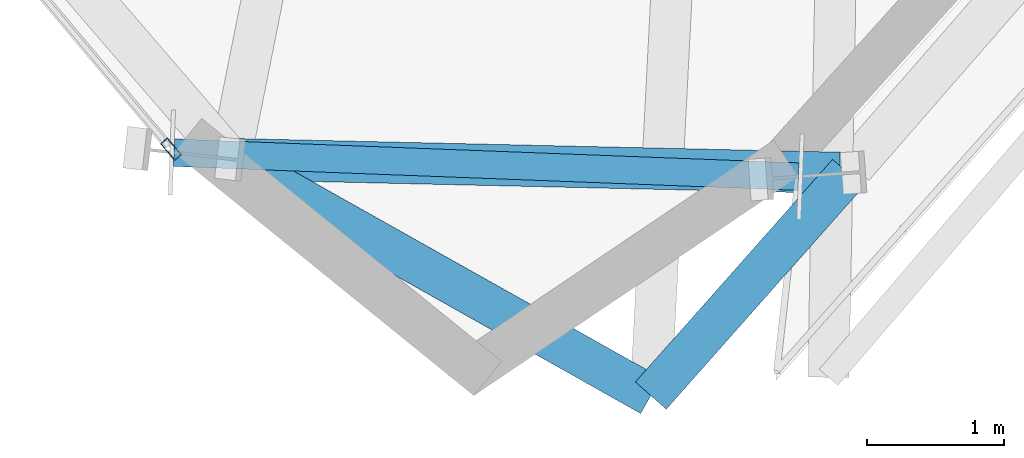
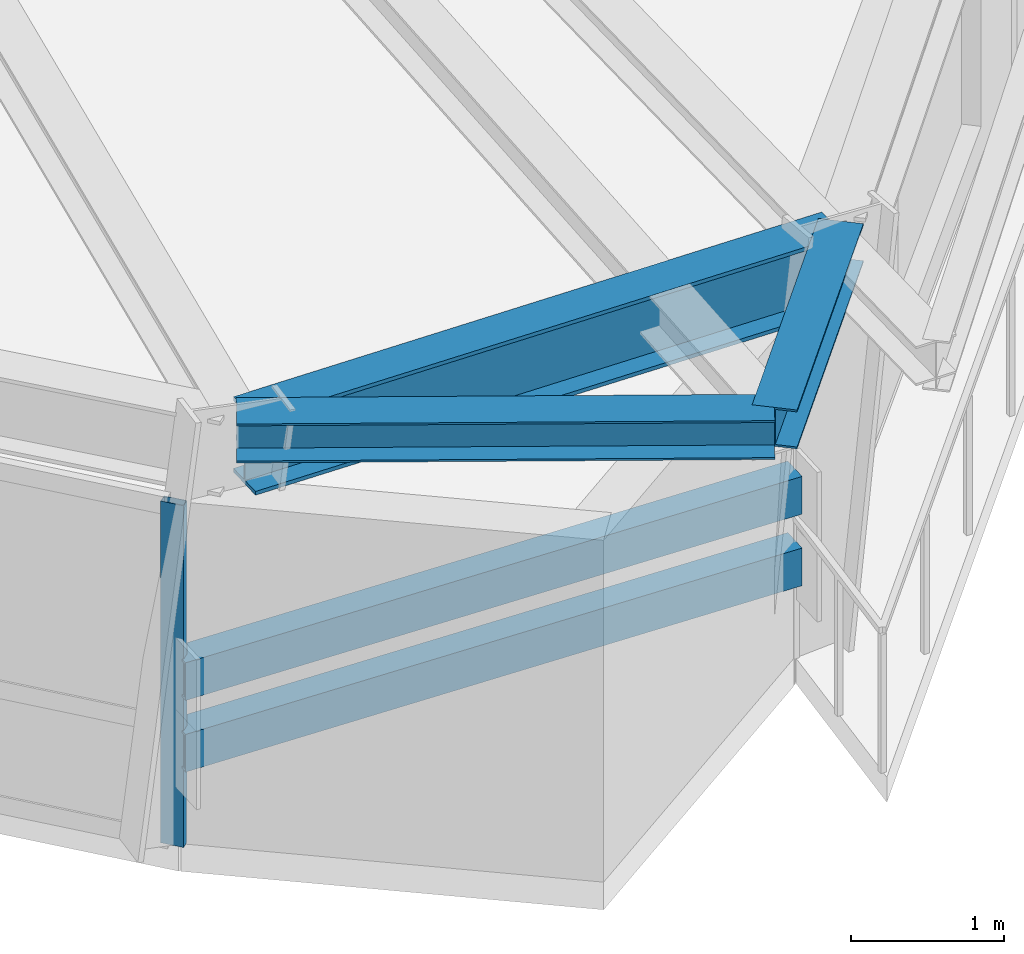
# One storey, part 4 of 15: 3 beams, 3 members, 1 element without a shape of its own.
"""IFC4 building model written with IfcOpenShell, lengths in metres."""

from ifc_helpers import new_model, si_unit, direction, frame, origin, origin_2d, place, context, subcontext, project, spatial, hollow_rectangle, i_section, extrude, source, transform, mapped, material, material_profile, profile_set, type_object, element, aggregate, save


model = new_model("IFC4")

# Units and contexts
model_context = context("Model", 3, precision=1e-05, world=origin(), true_north=direction((0.0, 1.0)))
body_context = subcontext(model_context, "Body", "Model", "MODEL_VIEW")
ifc_project = project(units=[si_unit("LENGTHUNIT", "METRE"), si_unit("AREAUNIT", "SQUARE_METRE"), si_unit("VOLUMEUNIT", "CUBIC_METRE"), si_unit("PLANEANGLEUNIT", "RADIAN"), si_unit("MASSUNIT", "GRAM", prefix="KILO")], contexts=[model_context])

# Site, building, storey
site_placement = place(None, origin())
site = spatial("IfcSite", under=ifc_project, at=site_placement, CompositionType="ELEMENT")
building_placement = place(site_placement, origin())
building = spatial("IfcBuilding", under=site, at=building_placement, Name="Olszyna Solenne Hotel", CompositionType="ELEMENT")
storey_placement = place(building_placement, frame((0.0, 0.0, 164.35009765625)))
storey = spatial("IfcBuildingStorey", under=building, at=storey_placement, Name="L43", CompositionType="ELEMENT", Elevation=164.35009765625)

# Beams
ifc_material_1 = material(Name="Steel S355J2", Category="steel")
ifc_material_profile_1 = material_profile(ifc_material_1, i_section(OverallWidth=0.300048828125, OverallDepth=0.60009765625, WebThickness=0.015380859375, FlangeThickness=0.030029296875, at=origin_2d()), Name="HEB 600", Category="load-bearing")
ifc_profile_set_1 = profile_set([ifc_material_profile_1], Name="Steel S355J2")
beam_type_1 = type_object("IfcBeamType", Name="BM-S2", PredefinedType="BEAM", material=ifc_profile_set_1)
shared_shape_1 = source(origin(), body_context, "Body", "SweptSolid", [
    extrude(i_section(OverallWidth=0.300048828125, OverallDepth=0.60009765625, WebThickness=0.015380859375, FlangeThickness=0.030029296875, at=origin_2d()), origin(), (0.0, 0.0, 1.0), 4.375732421875),
])
beam_1_placement = place(storey_placement, frame((33.258056640625, 2.52001953125, 3.02978515625), z_axis=(0.999743388678, -0.022652964382, 0.0), x_axis=(0.022652964382, 0.999743388678, 0.0)))
element("IfcBeam", 1, at=beam_1_placement, inside=storey, type_object=beam_type_1, Name="Perimeter spandrel beam BM-S2 B-L43-1282", PredefinedType="BEAM", context=body_context, shape_type="MappedRepresentation", body=[
    mapped(shared_shape_1, transform((0.0, 0.0, 0.0), x_axis=(1.0, 0.0, 0.0), y_axis=(0.0, 1.0, 0.0), z_axis=(0.0, 0.0, 1.0), scale=1.0)),
])
ifc_material_profile_2 = material_profile(ifc_material_1, i_section(OverallWidth=0.300048828125, OverallDepth=0.31005859375, WebThickness=0.009033203125, FlangeThickness=0.015380859375, at=origin_2d()), Name="HEA 320", Category="load-bearing")
ifc_profile_set_2 = profile_set([ifc_material_profile_2], Name="Steel S355J2")
beam_type_2 = type_object("IfcBeamType", Name="BM-G3", PredefinedType="BEAM", material=ifc_profile_set_2)
shared_shape_2 = source(origin(), body_context, "Body", "SweptSolid", [
    extrude(i_section(OverallWidth=0.300048828125, OverallDepth=0.31005859375, WebThickness=0.009033203125, FlangeThickness=0.015380859375, at=origin_2d()), origin(), (0.0, 0.0, 1.0), 3.5107421875),
])
beam_2_placement = place(storey_placement, frame((33.197998046875, 2.521484375, 3.1748046875), z_axis=(0.871540249177, -0.490323968479, 0.0), x_axis=(0.490323968479, 0.871540249177, 0.0)))
element("IfcBeam", 2, at=beam_2_placement, inside=storey, type_object=beam_type_2, Name="Prism side edge beam BM-G3 B-L43-1295", PredefinedType="BEAM", context=body_context, shape_type="MappedRepresentation", body=[
    mapped(shared_shape_2, transform((0.0, 0.0, 0.0), x_axis=(1.0, 0.0, 0.0), y_axis=(0.0, 1.0, 0.0), z_axis=(0.0, 0.0, 1.0), scale=1.0)),
])
shared_shape_3 = source(origin(), body_context, "Body", "SweptSolid", [
    extrude(i_section(OverallWidth=0.300048828125, OverallDepth=0.31005859375, WebThickness=0.009033203125, FlangeThickness=0.015380859375, at=origin_2d()), origin(), (0.0, 0.0, 1.0), 2.163330078125),
])
beam_3_placement = place(storey_placement, frame((37.6923828125, 2.41943359375, 3.1748046875), z_axis=(-0.66310209524, -0.748528964896, 0.0), x_axis=(0.748528964896, -0.66310209524, 0.0)))
element("IfcBeam", 3, at=beam_3_placement, inside=storey, type_object=beam_type_2, Name="Prism side edge beam BM-G3 B-L43-1296", PredefinedType="BEAM", context=body_context, shape_type="MappedRepresentation", body=[
    mapped(shared_shape_3, transform((0.0, 0.0, 0.0), x_axis=(1.0, 0.0, 0.0), y_axis=(0.0, 1.0, 0.0), z_axis=(0.0, 0.0, 1.0), scale=1.0)),
])

# Members
ifc_material_profile_3 = material_profile(ifc_material_1, hollow_rectangle(XDim=0.199951171875, YDim=0.300048828125, WallThickness=0.01611328125, at=origin_2d()), Name="RHS 300x200x16", Category="load-bearing")
ifc_profile_set_3 = profile_set([ifc_material_profile_3], Name="Steel S355J2")
member_type_1 = type_object("IfcMemberType", Name="CH-PR1", PredefinedType="CHORD", material=ifc_profile_set_3)
shared_shape_4 = source(origin(), body_context, "Body", "SweptSolid", [
    extrude(hollow_rectangle(XDim=0.199951171875, YDim=0.300048828125, WallThickness=0.01611328125, at=origin_2d()), origin(), (0.0, 0.0, 1.0), 4.547119140625),
])
for number, where, z_axis, x_axis, name in (
    (4, (32.7880859375, 2.56787109375, 1.349853515625), (0.999262839178, -0.038389819462, 0.0), (0.038389819462, 0.999262839178, 0.0), "Glass-prism tie chord CH-PR1 M-L43-PR1"),
    (5, (32.7880859375, 2.56787109375, 0.77978515625), (0.999262839178, -0.038389819462, 0.0), (0.038389819462, 0.999262839178, 0.0), "Glass-prism tie chord CH-PR1 M-L43-PR2"),
):
    element("IfcMember", number, at=place(storey_placement, frame(where, z_axis=z_axis, x_axis=x_axis)), inside=storey, type_object=member_type_1, Name=name, PredefinedType="CHORD", context=body_context, shape_type="MappedRepresentation", body=[
        mapped(shared_shape_4, transform((0.0, 0.0, 0.0), x_axis=(1.0, 0.0, 0.0), y_axis=(0.0, 1.0, 0.0), z_axis=(0.0, 0.0, 1.0), scale=1.0)),
    ])

# Curtain wall, member
ifc_material_2 = material(Name="Anodised bronze aluminium", Category="aluminium")
curtain_wall_type = type_object("IfcCurtainWallType", Name="CW-SYS-4", PredefinedType="NOTDEFINED", material=ifc_material_2)
curtain_wall_placement = place(storey_placement, origin())
curtain_wall = element("IfcCurtainWall", 6, at=curtain_wall_placement, inside=storey, type_object=curtain_wall_type, Name="Unitised curtain wall CW-SYS-4 CW-L43-01", PredefinedType="NOTDEFINED")
ifc_material_profile_4 = material_profile(ifc_material_2, hollow_rectangle(XDim=0.06494140625, YDim=0.159912109375, WallThickness=0.00390625, at=origin_2d()), Name="MULL 160x65x4", Category="load-bearing")
ifc_profile_set_4 = profile_set([ifc_material_profile_4], Name="Anodised bronze aluminium")
member_type_2 = type_object("IfcMemberType", Name="CW-M3", PredefinedType="MULLION", material=ifc_profile_set_4)
shared_shape_5 = source(origin(), body_context, "Body", "SweptSolid", [
    extrude(hollow_rectangle(XDim=0.06494140625, YDim=0.159912109375, WallThickness=0.00390625, at=origin_2d()), origin(), (0.0, 0.0, 1.0), 2.721923828125),
])
member_placement = place(storey_placement, frame((32.767333984375, 2.5927734375, 0.0), z_axis=(0.0, 0.0, 1.0), x_axis=(0.765950881507, 0.642899095597, 0.0)))
member = element("IfcMember", 7, at=member_placement, type_object=member_type_2, Name="Curtain-wall mullion CW-M3 CM-L43-01-04", PredefinedType="MULLION", context=body_context, shape_type="MappedRepresentation", body=[
    mapped(shared_shape_5, transform((0.0, 0.0, 0.0), x_axis=(1.0, 0.0, 0.0), y_axis=(0.0, 1.0, 0.0), z_axis=(0.0, 0.0, 1.0), scale=1.0)),
])
aggregate(curtain_wall, [member])

save(model, "model.ifc")
